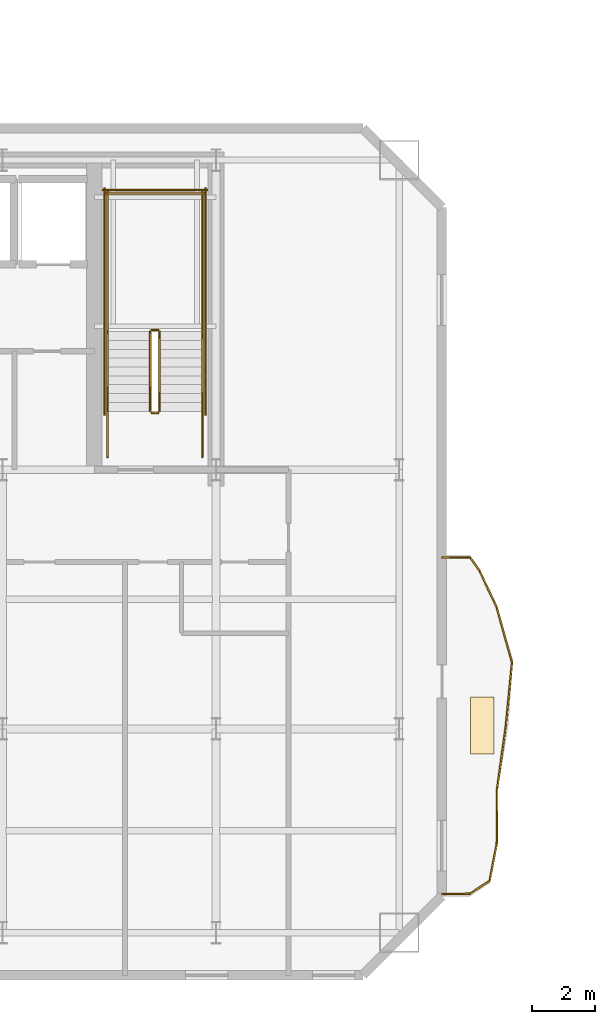
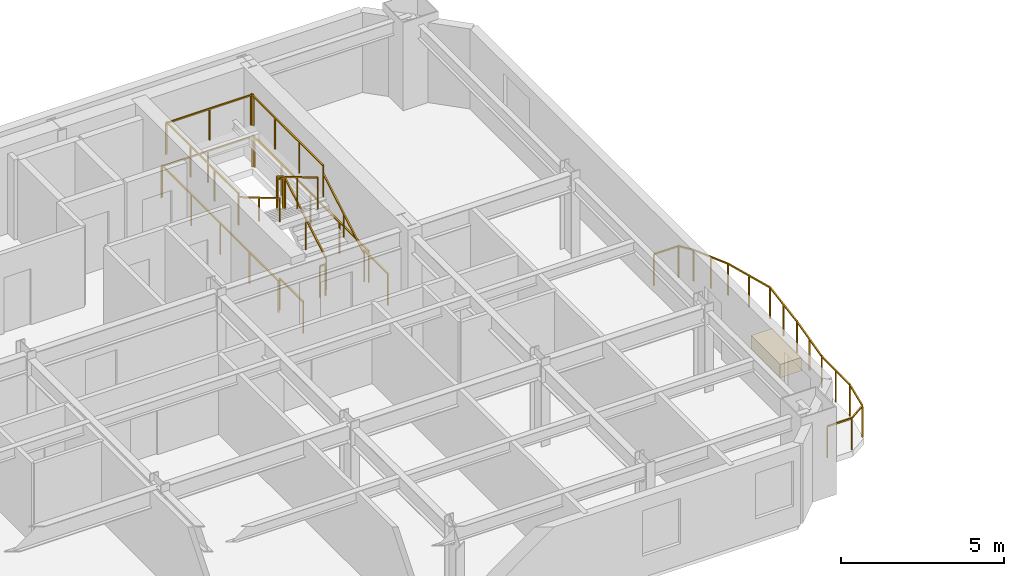
# One storey, part 11 of 13: 24 railings, 1 covering.
"""IFC4 building model written with IfcOpenShell, lengths in metres."""

from ifc_helpers import new_model, si_unit, direction, frame, origin, origin_2d, place, context, subcontext, project, spatial, rectangle, extrude, material, layer, layer_set, type_object, element, save


model = new_model("IFC4")

# Units and contexts
model_context = context("Model", 3, precision=1e-05, world=origin(), true_north=direction((0.0, 1.0)))
body_context = subcontext(model_context, "Body", "Model", "MODEL_VIEW")
ifc_project = project(units=[si_unit("LENGTHUNIT", "METRE"), si_unit("AREAUNIT", "SQUARE_METRE"), si_unit("VOLUMEUNIT", "CUBIC_METRE"), si_unit("PLANEANGLEUNIT", "RADIAN"), si_unit("MASSUNIT", "GRAM", prefix="KILO")], contexts=[model_context])

# Site, building, storey
site_placement = place(None, origin())
site = spatial("IfcSite", under=ifc_project, at=site_placement, CompositionType="ELEMENT")
building_placement = place(site_placement, origin())
building = spatial("IfcBuilding", under=site, at=building_placement, Name="Haevon Station Towers", CompositionType="ELEMENT")
storey_placement = place(building_placement, frame((0.0, 0.0, 189.0)))
storey = spatial("IfcBuildingStorey", under=building, at=storey_placement, Name="L52", CompositionType="ELEMENT", Elevation=189.0)

# Railings
ifc_material_1 = material(Name="Steel S355", Category="steel")
railing_type_1 = type_object("IfcRailingType", Name="GRD-EXT1200", PredefinedType="GUARDRAIL", material=ifc_material_1)
railing_1_placement = place(storey_placement, frame((58.17333984375, 24.77783203125, 0.0)))
element("IfcRailing", 1, at=railing_1_placement, inside=storey, type_object=railing_type_1, Name="L52 Perimeter Guardrail 1", PredefinedType="GUARDRAIL", context=body_context, shape_type="SweptSolid", body=[
    extrude(rectangle(XDim=0.048095703125, YDim=0.048095703125, at=origin_2d()), frame((0.0, 0.0, 1.17578125), z_axis=(0.99999747791, 0.002245923589, 0.0), x_axis=(-0.002245923589, 0.99999747791, 0.0)), (0.0, 0.0, 1.0), 0.86962890625),
    extrude(rectangle(XDim=0.0419921875, YDim=0.0419921875, at=origin_2d()), origin(), (0.0, 0.0, 1.0), 1.15185546875),
    extrude(rectangle(XDim=0.0419921875, YDim=0.0419921875, at=origin_2d()), frame((0.86962890625, 0.001953125, 0.0)), (0.0, 0.0, 1.0), 1.15185546875),
])
railing_2_placement = place(storey_placement, frame((59.04296875, 24.77978515625, 0.0)))
element("IfcRailing", 2, at=railing_2_placement, inside=storey, type_object=railing_type_1, Name="L52 Perimeter Guardrail 2", PredefinedType="GUARDRAIL", context=body_context, shape_type="SweptSolid", body=[
    extrude(rectangle(XDim=0.048095703125, YDim=0.048095703125, at=origin_2d()), frame((0.0, 0.0, 1.17578125), z_axis=(0.833160144028, 0.553031802343, 0.0), x_axis=(-0.553031802343, 0.833160144028, 0.0)), (0.0, 0.0, 1.0), 0.743408203125),
    extrude(rectangle(XDim=0.0419921875, YDim=0.0419921875, at=origin_2d()), origin(), (0.0, 0.0, 1.0), 1.15185546875),
    extrude(rectangle(XDim=0.0419921875, YDim=0.0419921875, at=origin_2d()), frame((0.619384765625, 0.4111328125, 0.0)), (0.0, 0.0, 1.0), 1.15185546875),
])
railing_3_placement = place(storey_placement, frame((59.662353515625, 25.19091796875, 0.0)))
element("IfcRailing", 3, at=railing_3_placement, inside=storey, type_object=railing_type_1, Name="L52 Perimeter Guardrail 3", PredefinedType="GUARDRAIL", context=body_context, shape_type="SweptSolid", body=[
    extrude(rectangle(XDim=0.048095703125, YDim=0.048095703125, at=origin_2d()), frame((0.0, 0.0, 1.17578125), z_axis=(0.18988815167, 0.981805729182, 0.0), x_axis=(-0.981805729182, 0.18988815167, 0.0)), (0.0, 0.0, 1.0), 1.19189453125),
    extrude(rectangle(XDim=0.0419921875, YDim=0.0419921875, at=origin_2d()), origin(), (0.0, 0.0, 1.0), 1.15185546875),
    extrude(rectangle(XDim=0.0419921875, YDim=0.0419921875, at=origin_2d()), frame((0.226318359375, 1.170166015625, 0.0)), (0.0, 0.0, 1.0), 1.15185546875),
])
railing_4_placement = place(storey_placement, frame((59.888671875, 26.361083984375, 0.0)))
element("IfcRailing", 4, at=railing_4_placement, inside=storey, type_object=railing_type_1, Name="L52 Perimeter Guardrail 4", PredefinedType="GUARDRAIL", context=body_context, shape_type="SweptSolid", body=[
    extrude(rectangle(XDim=0.048095703125, YDim=0.048095703125, at=origin_2d()), frame((0.0, 0.0, 1.17578125), z_axis=(0.00725326156, 0.999973694752, 0.0), x_axis=(-0.999973694752, 0.00725326156, 0.0)), (0.0, 0.0, 1.0), 1.750244140625),
    extrude(rectangle(XDim=0.0419921875, YDim=0.0419921875, at=origin_2d()), origin(), (0.0, 0.0, 1.0), 1.15185546875),
    extrude(rectangle(XDim=0.0419921875, YDim=0.0419921875, at=origin_2d()), frame((0.00634765625, 0.875, 0.0)), (0.0, 0.0, 1.0), 1.15185546875),
    extrude(rectangle(XDim=0.0419921875, YDim=0.0419921875, at=origin_2d()), frame((0.0126953125, 1.750244140625, 0.0)), (0.0, 0.0, 1.0), 1.15185546875),
])
railing_5_placement = place(storey_placement, frame((59.9013671875, 28.111328125, 0.0)))
element("IfcRailing", 5, at=railing_5_placement, inside=storey, type_object=railing_type_1, Name="L52 Perimeter Guardrail 5", PredefinedType="GUARDRAIL", context=body_context, shape_type="SweptSolid", body=[
    extrude(rectangle(XDim=0.048095703125, YDim=0.048095703125, at=origin_2d()), frame((0.0, 0.0, 1.17578125), z_axis=(0.136328744782, 0.990663652985, 0.0), x_axis=(-0.990663652985, 0.136328744782, 0.0)), (0.0, 0.0, 1.0), 2.007568359375),
    extrude(rectangle(XDim=0.0419921875, YDim=0.0419921875, at=origin_2d()), origin(), (0.0, 0.0, 1.0), 1.15185546875),
    extrude(rectangle(XDim=0.0419921875, YDim=0.0419921875, at=origin_2d()), frame((0.13671875, 0.994384765625, 0.0)), (0.0, 0.0, 1.0), 1.15185546875),
    extrude(rectangle(XDim=0.0419921875, YDim=0.0419921875, at=origin_2d()), frame((0.273681640625, 1.98876953125, 0.0)), (0.0, 0.0, 1.0), 1.15185546875),
])
railing_6_placement = place(storey_placement, frame((60.175048828125, 30.10009765625, 0.0)))
element("IfcRailing", 6, at=railing_6_placement, inside=storey, type_object=railing_type_1, Name="L52 Perimeter Guardrail 6", PredefinedType="GUARDRAIL", context=body_context, shape_type="SweptSolid", body=[
    extrude(rectangle(XDim=0.048095703125, YDim=0.048095703125, at=origin_2d()), frame((0.0, 0.0, 1.17578125), z_axis=(0.097729986477, 0.995212967029, 0.0), x_axis=(-0.995212967029, 0.097729986477, 0.0)), (0.0, 0.0, 1.0), 2.00341796875),
    extrude(rectangle(XDim=0.0419921875, YDim=0.0419921875, at=origin_2d()), origin(), (0.0, 0.0, 1.0), 1.15185546875),
    extrude(rectangle(XDim=0.0419921875, YDim=0.0419921875, at=origin_2d()), frame((0.097900390625, 0.9970703125, 0.0)), (0.0, 0.0, 1.0), 1.15185546875),
    extrude(rectangle(XDim=0.0419921875, YDim=0.0419921875, at=origin_2d()), frame((0.19580078125, 1.993896484375, 0.0)), (0.0, 0.0, 1.0), 1.15185546875),
])
railing_7_placement = place(storey_placement, frame((60.370849609375, 32.093994140625, 0.0)))
element("IfcRailing", 7, at=railing_7_placement, inside=storey, type_object=railing_type_1, Name="L52 Perimeter Guardrail 7", PredefinedType="GUARDRAIL", context=body_context, shape_type="SweptSolid", body=[
    extrude(rectangle(XDim=0.048095703125, YDim=0.048095703125, at=origin_2d()), frame((0.0, 0.0, 1.17578125), z_axis=(-0.266356811872, 0.963874498454, 0.0), x_axis=(-0.963874498454, -0.266356811872, 0.0)), (0.0, 0.0, 1.0), 1.810302734375),
    extrude(rectangle(XDim=0.0419921875, YDim=0.0419921875, at=origin_2d()), origin(), (0.0, 0.0, 1.0), 1.15185546875),
    extrude(rectangle(XDim=0.0419921875, YDim=0.0419921875, at=origin_2d()), frame((-0.2412109375, 0.87255859375, 0.0)), (0.0, 0.0, 1.0), 1.15185546875),
    extrude(rectangle(XDim=0.0419921875, YDim=0.0419921875, at=origin_2d()), frame((-0.482177734375, 1.744873046875, 0.0)), (0.0, 0.0, 1.0), 1.15185546875),
])
railing_8_placement = place(storey_placement, frame((59.888671875, 33.8388671875, 0.0)))
element("IfcRailing", 8, at=railing_8_placement, inside=storey, type_object=railing_type_1, Name="L52 Perimeter Guardrail 8", PredefinedType="GUARDRAIL", context=body_context, shape_type="SweptSolid", body=[
    extrude(rectangle(XDim=0.048095703125, YDim=0.048095703125, at=origin_2d()), frame((0.0, 0.0, 1.17578125), z_axis=(-0.42339242702, 0.905946385137, 0.0), x_axis=(-0.905946385137, -0.42339242702, 0.0)), (0.0, 0.0, 1.0), 1.291748046875),
    extrude(rectangle(XDim=0.0419921875, YDim=0.0419921875, at=origin_2d()), origin(), (0.0, 0.0, 1.0), 1.15185546875),
    extrude(rectangle(XDim=0.0419921875, YDim=0.0419921875, at=origin_2d()), frame((-0.2734375, 0.5849609375, 0.0)), (0.0, 0.0, 1.0), 1.15185546875),
    extrude(rectangle(XDim=0.0419921875, YDim=0.0419921875, at=origin_2d()), frame((-0.546875, 1.170166015625, 0.0)), (0.0, 0.0, 1.0), 1.15185546875),
])
railing_9_placement = place(storey_placement, frame((59.341796875, 35.009033203125, 0.0)))
element("IfcRailing", 9, at=railing_9_placement, inside=storey, type_object=railing_type_1, Name="L52 Perimeter Guardrail 9", PredefinedType="GUARDRAIL", context=body_context, shape_type="SweptSolid", body=[
    extrude(rectangle(XDim=0.048095703125, YDim=0.048095703125, at=origin_2d()), frame((0.0, 0.0, 1.17578125), z_axis=(-0.587943185417, 0.808902225688, 0.0), x_axis=(-0.808902225688, -0.587943185417, 0.0)), (0.0, 0.0, 1.0), 0.50830078125),
    extrude(rectangle(XDim=0.0419921875, YDim=0.0419921875, at=origin_2d()), origin(), (0.0, 0.0, 1.0), 1.15185546875),
    extrude(rectangle(XDim=0.0419921875, YDim=0.0419921875, at=origin_2d()), frame((-0.298828125, 0.4111328125, 0.0)), (0.0, 0.0, 1.0), 1.15185546875),
])
railing_10_placement = place(storey_placement, frame((59.04296875, 35.420166015625, 0.0)))
element("IfcRailing", 10, at=railing_10_placement, inside=storey, type_object=railing_type_1, Name="L52 Perimeter Guardrail 10", PredefinedType="GUARDRAIL", context=body_context, shape_type="SweptSolid", body=[
    extrude(rectangle(XDim=0.048095703125, YDim=0.048095703125, at=origin_2d()), frame((0.0, 0.0, 1.17578125), z_axis=(-0.99999747791, 0.002245923589, 0.0), x_axis=(-0.002245923589, -0.99999747791, 0.0)), (0.0, 0.0, 1.0), 0.86962890625),
    extrude(rectangle(XDim=0.0419921875, YDim=0.0419921875, at=origin_2d()), origin(), (0.0, 0.0, 1.0), 1.15185546875),
    extrude(rectangle(XDim=0.0419921875, YDim=0.0419921875, at=origin_2d()), frame((-0.86962890625, 0.001953125, 0.0)), (0.0, 0.0, 1.0), 1.15185546875),
])
railing_type_2 = type_object("IfcRailingType", Name="GRD-STR1200", PredefinedType="GUARDRAIL", material=ifc_material_1)
railing_11_placement = place(storey_placement, frame((49.219970703125, 40.050048828125, 0.1650390625)))
element("IfcRailing", 11, at=railing_11_placement, inside=storey, type_object=railing_type_2, Name="L52 ST2 Stair Guard 1", PredefinedType="GUARDRAIL", context=body_context, shape_type="SweptSolid", body=[
    extrude(rectangle(XDim=0.048095703125, YDim=0.048095703125, at=origin_2d()), frame((0.0, 0.0, 1.17578125), z_axis=(0.0, 0.861560626758, 0.507654692109), x_axis=(-1.0, 0.0, 0.0)), (0.0, 0.0, 1.0), 2.925048828125),
    extrude(rectangle(XDim=0.0419921875, YDim=0.0419921875, at=origin_2d()), origin(), (0.0, 0.0, 1.0), 1.15185546875),
    extrude(rectangle(XDim=0.0419921875, YDim=0.0419921875, at=origin_2d()), frame((0.0, 1.260009765625, 0.742431640625)), (0.0, 0.0, 1.0), 1.15185546875),
    extrude(rectangle(XDim=0.0419921875, YDim=0.0419921875, at=origin_2d()), frame((0.0, 2.52001953125, 1.48486328125)), (0.0, 0.0, 1.0), 1.15185546875),
])
railing_12_placement = place(storey_placement, frame((49.169921875, 42.6201171875, 1.64990234375)))
element("IfcRailing", 12, at=railing_12_placement, inside=storey, type_object=railing_type_2, Name="L52 ST2 Stair Guard 2", PredefinedType="GUARDRAIL", context=body_context, shape_type="SweptSolid", body=[
    extrude(rectangle(XDim=0.048095703125, YDim=0.048095703125, at=origin_2d()), frame((0.0, 0.0, 1.17578125), z_axis=(-1.0, 0.0, 0.0), x_axis=(0.0, -1.0, 0.0)), (0.0, 0.0, 1.0), 0.199951171875),
    extrude(rectangle(XDim=0.0419921875, YDim=0.0419921875, at=origin_2d()), origin(), (0.0, 0.0, 1.0), 1.15185546875),
    extrude(rectangle(XDim=0.0419921875, YDim=0.0419921875, at=origin_2d()), frame((-0.199951171875, 0.0, 0.0)), (0.0, 0.0, 1.0), 1.15185546875),
])
for number, where, name in (
    (13, (50.570068359375, 42.570068359375, 1.64990234375), "L52 ST2 Stair Guard 3"),
    (14, (47.570068359375, 42.570068359375, 1.64990234375), "L52 ST2 Stair Guard 4"),
):
    element("IfcRailing", number, at=place(storey_placement, frame(where)), inside=storey, type_object=railing_type_2, Name=name, PredefinedType="GUARDRAIL", context=body_context, shape_type="SweptSolid", body=[
        extrude(rectangle(XDim=0.048095703125, YDim=0.048095703125, at=origin_2d()), frame((0.0, 0.0, 1.17578125), z_axis=(0.0, 1.0, 0.0), x_axis=(-1.0, 0.0, 0.0)), (0.0, 0.0, 1.0), 4.429931640625),
        extrude(rectangle(XDim=0.0419921875, YDim=0.0419921875, at=origin_2d()), origin(), (0.0, 0.0, 1.0), 1.15185546875),
        extrude(rectangle(XDim=0.0419921875, YDim=0.0419921875, at=origin_2d()), frame((0.0, 1.4765625, 0.0)), (0.0, 0.0, 1.0), 1.15185546875),
        extrude(rectangle(XDim=0.0419921875, YDim=0.0419921875, at=origin_2d()), frame((0.0, 2.953369140625, 0.0)), (0.0, 0.0, 1.0), 1.15185546875),
        extrude(rectangle(XDim=0.0419921875, YDim=0.0419921875, at=origin_2d()), frame((0.0, 4.429931640625, 0.0)), (0.0, 0.0, 1.0), 1.15185546875),
    ])
railing_13_placement = place(storey_placement, frame((50.6201171875, 46.949951171875, 1.64990234375)))
element("IfcRailing", 15, at=railing_13_placement, inside=storey, type_object=railing_type_2, Name="L52 ST2 Stair Guard 5", PredefinedType="GUARDRAIL", context=body_context, shape_type="SweptSolid", body=[
    extrude(rectangle(XDim=0.048095703125, YDim=0.048095703125, at=origin_2d()), frame((0.0, 0.0, 1.17578125), z_axis=(-1.0, 0.0, 0.0), x_axis=(0.0, -1.0, 0.0)), (0.0, 0.0, 1.0), 3.10009765625),
    extrude(rectangle(XDim=0.0419921875, YDim=0.0419921875, at=origin_2d()), origin(), (0.0, 0.0, 1.0), 1.15185546875),
    extrude(rectangle(XDim=0.0419921875, YDim=0.0419921875, at=origin_2d()), frame((-1.550048828125, 0.0, 0.0)), (0.0, 0.0, 1.0), 1.15185546875),
    extrude(rectangle(XDim=0.0419921875, YDim=0.0419921875, at=origin_2d()), frame((-3.10009765625, 0.0, 0.0)), (0.0, 0.0, 1.0), 1.15185546875),
])
railing_14_placement = place(storey_placement, frame((48.919921875, 42.570068359375, 1.81494140625)))
element("IfcRailing", 16, at=railing_14_placement, inside=storey, type_object=railing_type_2, Name="L52 ST2 Stair Guard 6", PredefinedType="GUARDRAIL", context=body_context, shape_type="SweptSolid", body=[
    extrude(rectangle(XDim=0.048095703125, YDim=0.048095703125, at=origin_2d()), frame((0.0, 0.0, 1.17578125), z_axis=(0.0, -0.86152411907, 0.507716645641), x_axis=(1.0, 0.0, 0.0)), (0.0, 0.0, 1.0), 2.925048828125),
    extrude(rectangle(XDim=0.0419921875, YDim=0.0419921875, at=origin_2d()), origin(), (0.0, 0.0, 1.0), 1.15185546875),
    extrude(rectangle(XDim=0.0419921875, YDim=0.0419921875, at=origin_2d()), frame((0.0, -1.260009765625, 0.74267578125)), (0.0, 0.0, 1.0), 1.15185546875),
    extrude(rectangle(XDim=0.0419921875, YDim=0.0419921875, at=origin_2d()), frame((0.0, -2.52001953125, 1.485107421875)), (0.0, 0.0, 1.0), 1.15185546875),
])
railing_15_placement = place(storey_placement, frame((49.169921875, 40.0, 0.0)))
element("IfcRailing", 17, at=railing_15_placement, inside=storey, type_object=railing_type_2, Name="L52 ST2 Stair Guard 7", PredefinedType="GUARDRAIL", context=body_context, shape_type="SweptSolid", body=[
    extrude(rectangle(XDim=0.048095703125, YDim=0.048095703125, at=origin_2d()), frame((0.0, 0.0, 1.17578125), z_axis=(-1.0, 0.0, 0.0), x_axis=(0.0, -1.0, 0.0)), (0.0, 0.0, 1.0), 0.199951171875),
    extrude(rectangle(XDim=0.0419921875, YDim=0.0419921875, at=origin_2d()), origin(), (0.0, 0.0, 1.0), 1.15185546875),
    extrude(rectangle(XDim=0.0419921875, YDim=0.0419921875, at=origin_2d()), frame((-0.199951171875, 0.0, 0.0)), (0.0, 0.0, 1.0), 1.15185546875),
])
for number, where, name in (
    (18, (50.570068359375, 38.60009765625, 0.0), "L52 ST2 Stair Guard 8"),
    (19, (47.570068359375, 38.60009765625, 0.0), "L52 ST2 Stair Guard 9"),
):
    element("IfcRailing", number, at=place(storey_placement, frame(where)), inside=storey, type_object=railing_type_2, Name=name, PredefinedType="GUARDRAIL", context=body_context, shape_type="SweptSolid", body=[
        extrude(rectangle(XDim=0.048095703125, YDim=0.048095703125, at=origin_2d()), frame((0.0, 0.0, 1.17578125), z_axis=(0.0, 1.0, 0.0), x_axis=(-1.0, 0.0, 0.0)), (0.0, 0.0, 1.0), 1.449951171875),
        extrude(rectangle(XDim=0.0419921875, YDim=0.0419921875, at=origin_2d()), origin(), (0.0, 0.0, 1.0), 1.15185546875),
        extrude(rectangle(XDim=0.0419921875, YDim=0.0419921875, at=origin_2d()), frame((0.0, 1.449951171875, 0.0)), (0.0, 0.0, 1.0), 1.15185546875),
    ])
for number, where, name in (
    (20, (50.669921875, 39.949951171875, 0.0), "L52 ST2 Stair Guard 10"),
    (21, (47.469970703125, 39.949951171875, 0.0), "L52 ST2 Stair Guard 11"),
):
    element("IfcRailing", number, at=place(storey_placement, frame(where)), inside=storey, type_object=railing_type_2, Name=name, PredefinedType="GUARDRAIL", context=body_context, shape_type="SweptSolid", body=[
        extrude(rectangle(XDim=0.048095703125, YDim=0.048095703125, at=origin_2d()), frame((0.0, 0.0, 1.17578125), z_axis=(0.0, 1.0, 0.0), x_axis=(-1.0, 0.0, 0.0)), (0.0, 0.0, 1.0), 7.150146484375),
        extrude(rectangle(XDim=0.0419921875, YDim=0.0419921875, at=origin_2d()), origin(), (0.0, 0.0, 1.0), 1.15185546875),
        extrude(rectangle(XDim=0.0419921875, YDim=0.0419921875, at=origin_2d()), frame((0.0, 1.78759765625, 0.0)), (0.0, 0.0, 1.0), 1.15185546875),
        extrude(rectangle(XDim=0.0419921875, YDim=0.0419921875, at=origin_2d()), frame((0.0, 3.5751953125, 0.0)), (0.0, 0.0, 1.0), 1.15185546875),
        extrude(rectangle(XDim=0.0419921875, YDim=0.0419921875, at=origin_2d()), frame((0.0, 5.362548828125, 0.0)), (0.0, 0.0, 1.0), 1.15185546875),
        extrude(rectangle(XDim=0.0419921875, YDim=0.0419921875, at=origin_2d()), frame((0.0, 7.150146484375, 0.0)), (0.0, 0.0, 1.0), 1.15185546875),
    ])
railing_16_placement = place(storey_placement, frame((50.719970703125, 47.050048828125, 0.0)))
element("IfcRailing", 22, at=railing_16_placement, inside=storey, type_object=railing_type_2, Name="L52 ST2 Stair Guard 12", PredefinedType="GUARDRAIL", context=body_context, shape_type="SweptSolid", body=[
    extrude(rectangle(XDim=0.048095703125, YDim=0.048095703125, at=origin_2d()), frame((0.0, 0.0, 1.17578125), z_axis=(-1.0, 0.0, 0.0), x_axis=(0.0, -1.0, 0.0)), (0.0, 0.0, 1.0), 3.300048828125),
    extrude(rectangle(XDim=0.0419921875, YDim=0.0419921875, at=origin_2d()), origin(), (0.0, 0.0, 1.0), 1.15185546875),
    extrude(rectangle(XDim=0.0419921875, YDim=0.0419921875, at=origin_2d()), frame((-1.64990234375, 0.0, 0.0)), (0.0, 0.0, 1.0), 1.15185546875),
    extrude(rectangle(XDim=0.0419921875, YDim=0.0419921875, at=origin_2d()), frame((-3.300048828125, 0.0, 0.0)), (0.0, 0.0, 1.0), 1.15185546875),
])
railing_type_3 = type_object("IfcRailingType", Name="HND-STR900", PredefinedType="HANDRAIL", material=ifc_material_1)
railing_17_placement = place(storey_placement, frame((50.570068359375, 40.050048828125, 0.1650390625)))
element("IfcRailing", 23, at=railing_17_placement, inside=storey, type_object=railing_type_3, Name="L52 ST2 Stair Handrail 1", PredefinedType="HANDRAIL", context=body_context, shape_type="SweptSolid", body=[
    extrude(rectangle(XDim=0.048095703125, YDim=0.048095703125, at=origin_2d()), frame((0.0, 0.0, 0.8759765625), z_axis=(0.0, 0.861560626758, 0.507654692109), x_axis=(-1.0, 0.0, 0.0)), (0.0, 0.0, 1.0), 2.925048828125),
    extrude(rectangle(XDim=0.0419921875, YDim=0.0419921875, at=origin_2d()), origin(), (0.0, 0.0, 1.0), 0.851806640625),
    extrude(rectangle(XDim=0.0419921875, YDim=0.0419921875, at=origin_2d()), frame((0.0, 1.260009765625, 0.742431640625)), (0.0, 0.0, 1.0), 0.851806640625),
    extrude(rectangle(XDim=0.0419921875, YDim=0.0419921875, at=origin_2d()), frame((0.0, 2.52001953125, 1.48486328125)), (0.0, 0.0, 1.0), 0.851806640625),
])
railing_18_placement = place(storey_placement, frame((47.570068359375, 42.570068359375, 1.81494140625)))
element("IfcRailing", 24, at=railing_18_placement, inside=storey, type_object=railing_type_3, Name="L52 ST2 Stair Handrail 2", PredefinedType="HANDRAIL", context=body_context, shape_type="SweptSolid", body=[
    extrude(rectangle(XDim=0.048095703125, YDim=0.048095703125, at=origin_2d()), frame((0.0, 0.0, 0.8759765625), z_axis=(0.0, -0.86152411907, 0.507716645641), x_axis=(1.0, 0.0, 0.0)), (0.0, 0.0, 1.0), 2.925048828125),
    extrude(rectangle(XDim=0.0419921875, YDim=0.0419921875, at=origin_2d()), origin(), (0.0, 0.0, 1.0), 0.851806640625),
    extrude(rectangle(XDim=0.0419921875, YDim=0.0419921875, at=origin_2d()), frame((0.0, -1.260009765625, 0.74267578125)), (0.0, 0.0, 1.0), 0.851806640625),
    extrude(rectangle(XDim=0.0419921875, YDim=0.0419921875, at=origin_2d()), frame((0.0, -2.52001953125, 1.485107421875)), (0.0, 0.0, 1.0), 0.851806640625),
])

# Covering
ifc_material_2 = material(Name="Architectural planter GRC", Category="concrete")
ifc_layer = layer(ifc_material_2, 0.550048828125)
ifc_layer_set = layer_set([ifc_layer], Name="Architectural planter GRC")
covering_type = type_object("IfcCoveringType", Name="PLN-GRC550", PredefinedType="MOLDING", material=ifc_layer_set)
covering_placement = place(storey_placement, frame((59.433349609375, 30.10009765625, 0.0), z_axis=(0.0, 0.0, 1.0), x_axis=(1.0, 0.0, 0.0)))
element("IfcCovering", 25, at=covering_placement, inside=storey, type_object=covering_type, Name="Tower 1 L52 Scalloped Balcony PLANTER", PredefinedType="MOLDING", context=body_context, shape_type="SweptSolid", body=[
    extrude(rectangle(XDim=0.75, YDim=1.800048828125, at=origin_2d()), origin(), (0.0, 0.0, 1.0), 0.5),
])

save(model, "model.ifc")
